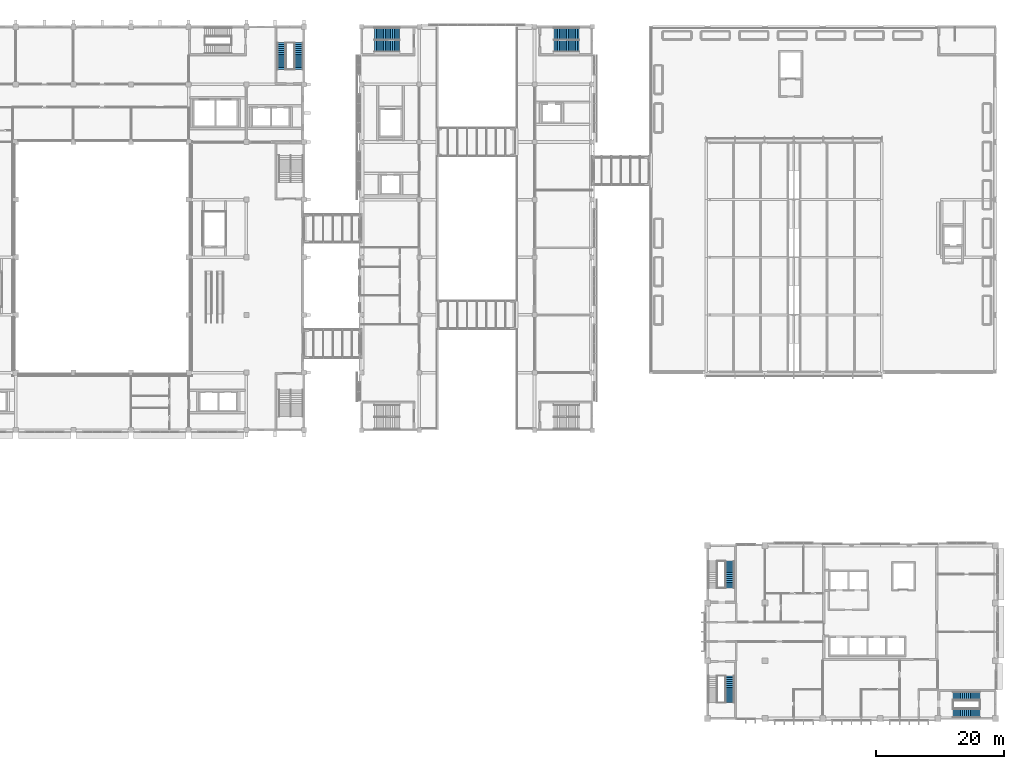
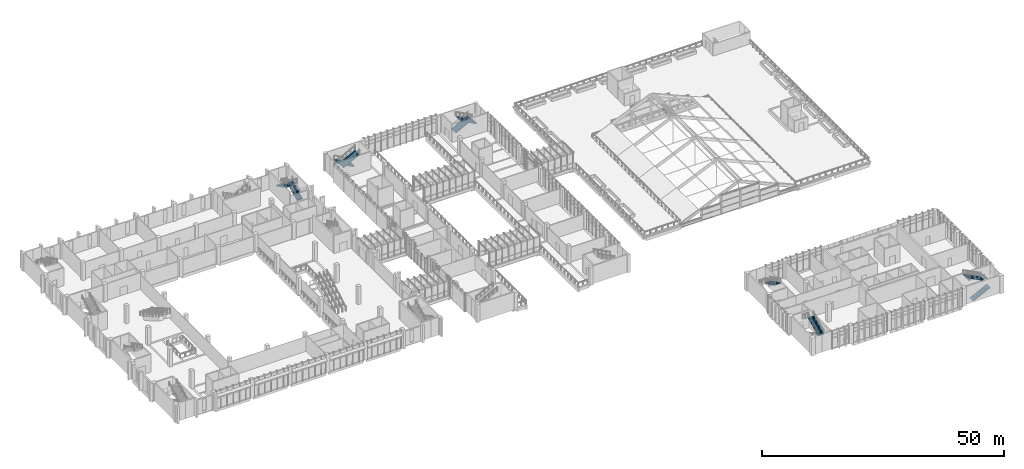
# One storey, part 81 of 106: 10 stair flights, 6 elements without a shape of their own.
"""IFC4 building model written with IfcOpenShell, lengths in metres."""

from ifc_helpers import new_model, si_unit, direction, frame, origin, place, context, subcontext, project, spatial, polyline, outline, extrude, material, type_object, element, aggregate, save


model = new_model("IFC4")

# Units and contexts
model_context = context("Model", 3, precision=1e-05, world=origin(), true_north=direction((0.0, 1.0)))
body_context = subcontext(model_context, "Body", "Model", "MODEL_VIEW")
ifc_project = project(units=[si_unit("LENGTHUNIT", "METRE"), si_unit("AREAUNIT", "SQUARE_METRE"), si_unit("VOLUMEUNIT", "CUBIC_METRE"), si_unit("PLANEANGLEUNIT", "RADIAN"), si_unit("MASSUNIT", "GRAM", prefix="KILO")], contexts=[model_context])

# Site, building, storey
site_placement = place(None, origin())
site = spatial("IfcSite", under=ifc_project, at=site_placement, CompositionType="ELEMENT")
building_placement = place(site_placement, origin())
building = spatial("IfcBuilding", under=site, at=building_placement, Name="Guidao Yard Department Store", CompositionType="ELEMENT")
storey_placement = place(building_placement, frame((0.0, 0.0, 10.5)))
storey = spatial("IfcBuildingStorey", under=building, at=storey_placement, Name="L02", CompositionType="ELEMENT", Elevation=10.5)

# Stair, stair flights
ifc_material_1 = material(Name="Concrete C35", Category="concrete")
stair_type_1 = type_object("IfcStairType", Name="Stair half-turn two-flight 1400 wide 4.5 m rise", PredefinedType="HALF_TURN_STAIR", material=ifc_material_1)
stair_1_placement = place(storey_placement, origin())
stair_1 = element("IfcStair", 1, at=stair_1_placement, inside=storey, type_object=stair_type_1, Name="Stair A6 L02 to L03", PredefinedType="HALF_TURN_STAIR")
ifc_material_2 = material(Name="Concrete C35", Category="concrete")
stair_flight_type_1 = type_object("IfcStairFlightType", Name="Stair flight RC straight 1400 wide 15 risers x 300 going C35", PredefinedType="STRAIGHT", material=ifc_material_2)
stair_flight_1_placement = place(storey_placement, frame((62.175048828125, 101.300048828125, 0.0), z_axis=(0.0, 0.0, 1.0), x_axis=(0.0, 1.0, 0.0)))
stair_flight_1 = element("IfcStairFlight", 2, at=stair_flight_1_placement, type_object=stair_flight_type_1, Name="SA6-L02 flight 1", NumberOfRisers=15, NumberOfTreads=14, PredefinedType="STRAIGHT", RiserHeight=0.15, TreadLength=0.3, context=body_context, shape_type="SweptSolid", body=[
    extrude(outline(polyline([(0.0, 0.0), (0.0, 0.14990234375), (0.300048828125, 0.14990234375), (0.300048828125, 0.300048828125), (0.60009765625, 0.300048828125), (0.60009765625, 0.449951171875), (0.89990234375, 0.449951171875), (0.89990234375, 0.60009765625), (1.199951171875, 0.60009765625), (1.199951171875, 0.75), (1.5, 0.75), (1.5, 0.89990234375), (1.800048828125, 0.89990234375), (1.800048828125, 1.050048828125), (2.10009765625, 1.050048828125), (2.10009765625, 1.199951171875), (2.39990234375, 1.199951171875), (2.39990234375, 1.35009765625), (2.699951171875, 1.35009765625), (2.699951171875, 1.5), (3.0, 1.5), (3.0, 1.64990234375), (3.300048828125, 1.64990234375), (3.300048828125, 1.800048828125), (3.60009765625, 1.800048828125), (3.60009765625, 1.949951171875), (3.89990234375, 1.949951171875), (3.89990234375, 2.10009765625), (4.199951171875, 2.10009765625), (4.199951171875, 2.25), (4.199951171875, 1.932373046875), (0.335205078125, 0.0), (0.0, 0.0)])), frame((0.0, 0.699951171875, 0.0), z_axis=(0.0, -1.0, 0.0), x_axis=(1.0, 0.0, 0.0)), (0.0, 0.0, 1.0), 1.39990234375),
])
stair_flight_2_placement = place(storey_placement, frame((59.5, 105.5, 2.25), z_axis=(0.0, 0.0, 1.0), x_axis=(0.0, -1.0, 0.0)))
stair_flight_2 = element("IfcStairFlight", 3, at=stair_flight_2_placement, type_object=stair_flight_type_1, Name="SA6-L02 flight 2", NumberOfRisers=15, NumberOfTreads=14, PredefinedType="STRAIGHT", RiserHeight=0.15, TreadLength=0.3, context=body_context, shape_type="SweptSolid", body=[
    extrude(outline(polyline([(0.0, 0.0), (0.0, 0.14990234375), (0.300048828125, 0.14990234375), (0.300048828125, 0.300048828125), (0.60009765625, 0.300048828125), (0.60009765625, 0.449951171875), (0.89990234375, 0.449951171875), (0.89990234375, 0.60009765625), (1.199951171875, 0.60009765625), (1.199951171875, 0.75), (1.5, 0.75), (1.5, 0.89990234375), (1.800048828125, 0.89990234375), (1.800048828125, 1.050048828125), (2.10009765625, 1.050048828125), (2.10009765625, 1.199951171875), (2.39990234375, 1.199951171875), (2.39990234375, 1.35009765625), (2.699951171875, 1.35009765625), (2.699951171875, 1.5), (3.0, 1.5), (3.0, 1.64990234375), (3.300048828125, 1.64990234375), (3.300048828125, 1.800048828125), (3.60009765625, 1.800048828125), (3.60009765625, 1.949951171875), (3.89990234375, 1.949951171875), (3.89990234375, 2.10009765625), (4.199951171875, 2.10009765625), (4.199951171875, 2.25), (4.199951171875, 1.932373046875), (0.335205078125, 0.0), (0.0, 0.0)])), frame((0.0, 0.699951171875, 0.0), z_axis=(0.0, -1.0, 0.0), x_axis=(1.0, 0.0, 0.0)), (0.0, 0.0, 1.0), 1.39990234375),
])
aggregate(stair_1, [stair_flight_1, stair_flight_2])

# Stair, stair flight
stair_2_placement = place(storey_placement, origin())
stair_2 = element("IfcStair", 4, at=stair_2_placement, inside=storey, type_object=stair_type_1, Name="Stair O1 L02 to L03", PredefinedType="HALF_TURN_STAIR")
stair_flight_3_placement = place(storey_placement, frame((129.5, 2.449951171875, 2.25), z_axis=(0.0, 0.0, 1.0), x_axis=(0.0, 1.0, 0.0)))
stair_flight_3 = element("IfcStairFlight", 5, at=stair_flight_3_placement, type_object=stair_flight_type_1, Name="SO1-L02 flight 2", NumberOfRisers=15, NumberOfTreads=14, PredefinedType="STRAIGHT", RiserHeight=0.15, TreadLength=0.3, context=body_context, shape_type="SweptSolid", body=[
    extrude(outline(polyline([(0.0, 0.0), (0.0, 0.14990234375), (0.300048828125, 0.14990234375), (0.300048828125, 0.300048828125), (0.60009765625, 0.300048828125), (0.60009765625, 0.449951171875), (0.89990234375, 0.449951171875), (0.89990234375, 0.60009765625), (1.199951171875, 0.60009765625), (1.199951171875, 0.75), (1.5, 0.75), (1.5, 0.89990234375), (1.800048828125, 0.89990234375), (1.800048828125, 1.050048828125), (2.10009765625, 1.050048828125), (2.10009765625, 1.199951171875), (2.39990234375, 1.199951171875), (2.39990234375, 1.35009765625), (2.699951171875, 1.35009765625), (2.699951171875, 1.5), (3.0, 1.5), (3.0, 1.64990234375), (3.300048828125, 1.64990234375), (3.300048828125, 1.800048828125), (3.60009765625, 1.800048828125), (3.60009765625, 1.949951171875), (3.89990234375, 1.949951171875), (3.89990234375, 2.10009765625), (4.199951171875, 2.10009765625), (4.199951171875, 2.25), (4.199951171875, 1.932373046875), (0.335205078125, 0.0), (0.0, 0.0)])), frame((0.0, 0.699951171875, 0.0), z_axis=(0.0, -1.0, 0.0), x_axis=(1.0, 0.0, 0.0)), (0.0, 0.0, 1.0), 1.39990234375),
])
aggregate(stair_2, [stair_flight_3])

# Stair, stair flights
stair_3_placement = place(storey_placement, origin())
stair_3 = element("IfcStair", 6, at=stair_3_placement, inside=storey, type_object=stair_type_1, Name="Stair O2 L02 to L03", PredefinedType="HALF_TURN_STAIR")
stair_flight_4_placement = place(storey_placement, frame((164.35009765625, 0.824951171875, 0.0), z_axis=(0.0, 0.0, 1.0), x_axis=(1.0, 0.0, 0.0)))
stair_flight_4 = element("IfcStairFlight", 7, at=stair_flight_4_placement, type_object=stair_flight_type_1, Name="SO2-L02 flight 1", NumberOfRisers=15, NumberOfTreads=14, PredefinedType="STRAIGHT", RiserHeight=0.15, TreadLength=0.3, context=body_context, shape_type="SweptSolid", body=[
    extrude(outline(polyline([(0.0, 0.0), (0.0, 0.14990234375), (0.300048828125, 0.14990234375), (0.300048828125, 0.300048828125), (0.60009765625, 0.300048828125), (0.60009765625, 0.449951171875), (0.89990234375, 0.449951171875), (0.89990234375, 0.60009765625), (1.199951171875, 0.60009765625), (1.199951171875, 0.75), (1.5, 0.75), (1.5, 0.89990234375), (1.800048828125, 0.89990234375), (1.800048828125, 1.050048828125), (2.10009765625, 1.050048828125), (2.10009765625, 1.199951171875), (2.39990234375, 1.199951171875), (2.39990234375, 1.35009765625), (2.699951171875, 1.35009765625), (2.699951171875, 1.5), (3.0, 1.5), (3.0, 1.64990234375), (3.300048828125, 1.64990234375), (3.300048828125, 1.800048828125), (3.60009765625, 1.800048828125), (3.60009765625, 1.949951171875), (3.89990234375, 1.949951171875), (3.89990234375, 2.10009765625), (4.199951171875, 2.10009765625), (4.199951171875, 2.25), (4.199951171875, 1.932373046875), (0.335205078125, 0.0), (0.0, 0.0)])), frame((0.0, 0.699951171875, 0.0), z_axis=(0.0, -1.0, 0.0), x_axis=(1.0, 0.0, 0.0)), (0.0, 0.0, 1.0), 1.39990234375),
])
stair_flight_5_placement = place(storey_placement, frame((168.550048828125, 3.5, 2.25), z_axis=(0.0, 0.0, 1.0), x_axis=(-1.0, 0.0, 0.0)))
stair_flight_5 = element("IfcStairFlight", 8, at=stair_flight_5_placement, type_object=stair_flight_type_1, Name="SO2-L02 flight 2", NumberOfRisers=15, NumberOfTreads=14, PredefinedType="STRAIGHT", RiserHeight=0.15, TreadLength=0.3, context=body_context, shape_type="SweptSolid", body=[
    extrude(outline(polyline([(0.0, 0.0), (0.0, 0.14990234375), (0.300048828125, 0.14990234375), (0.300048828125, 0.300048828125), (0.60009765625, 0.300048828125), (0.60009765625, 0.449951171875), (0.89990234375, 0.449951171875), (0.89990234375, 0.60009765625), (1.199951171875, 0.60009765625), (1.199951171875, 0.75), (1.5, 0.75), (1.5, 0.89990234375), (1.800048828125, 0.89990234375), (1.800048828125, 1.050048828125), (2.10009765625, 1.050048828125), (2.10009765625, 1.199951171875), (2.39990234375, 1.199951171875), (2.39990234375, 1.35009765625), (2.699951171875, 1.35009765625), (2.699951171875, 1.5), (3.0, 1.5), (3.0, 1.64990234375), (3.300048828125, 1.64990234375), (3.300048828125, 1.800048828125), (3.60009765625, 1.800048828125), (3.60009765625, 1.949951171875), (3.89990234375, 1.949951171875), (3.89990234375, 2.10009765625), (4.199951171875, 2.10009765625), (4.199951171875, 2.25), (4.199951171875, 1.932373046875), (0.335205078125, 0.0), (0.0, 0.0)])), frame((0.0, 0.699951171875, 0.0), z_axis=(0.0, -1.0, 0.0), x_axis=(1.0, 0.0, 0.0)), (0.0, 0.0, 1.0), 1.39990234375),
])
aggregate(stair_3, [stair_flight_4, stair_flight_5])

# Stair, stair flight
stair_4_placement = place(storey_placement, origin())
stair_4 = element("IfcStair", 9, at=stair_4_placement, inside=storey, type_object=stair_type_1, Name="Stair O3 L02 to L03", PredefinedType="HALF_TURN_STAIR")
stair_flight_6_placement = place(storey_placement, frame((129.5, 24.550048828125, 2.25), z_axis=(0.0, 0.0, 1.0), x_axis=(0.0, -1.0, 0.0)))
stair_flight_6 = element("IfcStairFlight", 10, at=stair_flight_6_placement, type_object=stair_flight_type_1, Name="SO3-L02 flight 2", NumberOfRisers=15, NumberOfTreads=14, PredefinedType="STRAIGHT", RiserHeight=0.15, TreadLength=0.3, context=body_context, shape_type="SweptSolid", body=[
    extrude(outline(polyline([(0.0, 0.0), (0.0, 0.14990234375), (0.300048828125, 0.14990234375), (0.300048828125, 0.300048828125), (0.60009765625, 0.300048828125), (0.60009765625, 0.449951171875), (0.89990234375, 0.449951171875), (0.89990234375, 0.60009765625), (1.199951171875, 0.60009765625), (1.199951171875, 0.75), (1.5, 0.75), (1.5, 0.89990234375), (1.800048828125, 0.89990234375), (1.800048828125, 1.050048828125), (2.10009765625, 1.050048828125), (2.10009765625, 1.199951171875), (2.39990234375, 1.199951171875), (2.39990234375, 1.35009765625), (2.699951171875, 1.35009765625), (2.699951171875, 1.5), (3.0, 1.5), (3.0, 1.64990234375), (3.300048828125, 1.64990234375), (3.300048828125, 1.800048828125), (3.60009765625, 1.800048828125), (3.60009765625, 1.949951171875), (3.89990234375, 1.949951171875), (3.89990234375, 2.10009765625), (4.199951171875, 2.10009765625), (4.199951171875, 2.25), (4.199951171875, 1.932373046875), (0.335205078125, 0.0), (0.0, 0.0)])), frame((0.0, 0.699951171875, 0.0), z_axis=(0.0, -1.0, 0.0), x_axis=(1.0, 0.0, 0.0)), (0.0, 0.0, 1.0), 1.39990234375),
])
aggregate(stair_4, [stair_flight_6])

# Stair, stair flights
ifc_material_3 = material(Name="Concrete C35", Category="concrete")
stair_type_2 = type_object("IfcStairType", Name="Stair half-turn two-flight 1800 wide 4.5 m rise", PredefinedType="HALF_TURN_STAIR", material=ifc_material_3)
stair_5_placement = place(storey_placement, origin())
stair_5 = element("IfcStair", 11, at=stair_5_placement, inside=storey, type_object=stair_type_2, Name="Stair G2 L02 to L03", PredefinedType="HALF_TURN_STAIR")
ifc_material_4 = material(Name="Concrete C35", Category="concrete")
stair_flight_type_2 = type_object("IfcStairFlightType", Name="Stair flight RC straight 1800 wide 15 risers x 280 going C35", PredefinedType="STRAIGHT", material=ifc_material_4)
stair_flight_7_placement = place(storey_placement, frame((77.949951171875, 106.97509765625, 0.0), z_axis=(0.0, 0.0, 1.0), x_axis=(-1.0, 0.0, 0.0)))
stair_flight_7 = element("IfcStairFlight", 12, at=stair_flight_7_placement, type_object=stair_flight_type_2, Name="SG2-L02 flight 1", NumberOfRisers=15, NumberOfTreads=14, PredefinedType="STRAIGHT", RiserHeight=0.15, TreadLength=0.28, context=body_context, shape_type="SweptSolid", body=[
    extrude(outline(polyline([(0.0, 0.0), (0.0, 0.14990234375), (0.280029296875, 0.14990234375), (0.280029296875, 0.300048828125), (0.56005859375, 0.300048828125), (0.56005859375, 0.449951171875), (0.840087890625, 0.449951171875), (0.840087890625, 0.60009765625), (1.1201171875, 0.60009765625), (1.1201171875, 0.75), (1.39990234375, 0.75), (1.39990234375, 0.89990234375), (1.679931640625, 0.89990234375), (1.679931640625, 1.050048828125), (1.9599609375, 1.050048828125), (1.9599609375, 1.199951171875), (2.239990234375, 1.199951171875), (2.239990234375, 1.35009765625), (2.52001953125, 1.35009765625), (2.52001953125, 1.5), (2.800048828125, 1.5), (2.800048828125, 1.64990234375), (3.080078125, 1.64990234375), (3.080078125, 1.800048828125), (3.360107421875, 1.800048828125), (3.360107421875, 1.949951171875), (3.639892578125, 1.949951171875), (3.639892578125, 2.10009765625), (3.919921875, 2.10009765625), (3.919921875, 2.25), (3.919921875, 1.929931640625), (0.3173828125, 0.0), (0.0, 0.0)])), frame((0.0, 0.89990234375, 0.0), z_axis=(0.0, -1.0, 0.0), x_axis=(1.0, 0.0, 0.0)), (0.0, 0.0, 1.0), 1.800048828125),
])
stair_flight_8_placement = place(storey_placement, frame((74.030029296875, 104.925048828125, 2.25), z_axis=(0.0, 0.0, 1.0), x_axis=(1.0, 0.0, 0.0)))
stair_flight_8 = element("IfcStairFlight", 13, at=stair_flight_8_placement, type_object=stair_flight_type_2, Name="SG2-L02 flight 2", NumberOfRisers=15, NumberOfTreads=14, PredefinedType="STRAIGHT", RiserHeight=0.15, TreadLength=0.28, context=body_context, shape_type="SweptSolid", body=[
    extrude(outline(polyline([(0.0, 0.0), (0.0, 0.14990234375), (0.280029296875, 0.14990234375), (0.280029296875, 0.300048828125), (0.56005859375, 0.300048828125), (0.56005859375, 0.449951171875), (0.840087890625, 0.449951171875), (0.840087890625, 0.60009765625), (1.1201171875, 0.60009765625), (1.1201171875, 0.75), (1.39990234375, 0.75), (1.39990234375, 0.89990234375), (1.679931640625, 0.89990234375), (1.679931640625, 1.050048828125), (1.9599609375, 1.050048828125), (1.9599609375, 1.199951171875), (2.239990234375, 1.199951171875), (2.239990234375, 1.35009765625), (2.52001953125, 1.35009765625), (2.52001953125, 1.5), (2.800048828125, 1.5), (2.800048828125, 1.64990234375), (3.080078125, 1.64990234375), (3.080078125, 1.800048828125), (3.360107421875, 1.800048828125), (3.360107421875, 1.949951171875), (3.639892578125, 1.949951171875), (3.639892578125, 2.10009765625), (3.919921875, 2.10009765625), (3.919921875, 2.25), (3.919921875, 1.929931640625), (0.3173828125, 0.0), (0.0, 0.0)])), frame((0.0, 0.89990234375, 0.0), z_axis=(0.0, -1.0, 0.0), x_axis=(1.0, 0.0, 0.0)), (0.0, 0.0, 1.0), 1.800048828125),
])
aggregate(stair_5, [stair_flight_7, stair_flight_8])

stair_6_placement = place(storey_placement, origin())
stair_6 = element("IfcStair", 14, at=stair_6_placement, inside=storey, type_object=stair_type_2, Name="Stair G4 L02 to L03", PredefinedType="HALF_TURN_STAIR")
stair_flight_9_placement = place(storey_placement, frame((102.050048828125, 106.97509765625, 0.0), z_axis=(0.0, 0.0, 1.0), x_axis=(1.0, 0.0, 0.0)))
stair_flight_9 = element("IfcStairFlight", 15, at=stair_flight_9_placement, type_object=stair_flight_type_2, Name="SG4-L02 flight 1", NumberOfRisers=15, NumberOfTreads=14, PredefinedType="STRAIGHT", RiserHeight=0.15, TreadLength=0.28, context=body_context, shape_type="SweptSolid", body=[
    extrude(outline(polyline([(0.0, 0.0), (0.0, 0.14990234375), (0.280029296875, 0.14990234375), (0.280029296875, 0.300048828125), (0.56005859375, 0.300048828125), (0.56005859375, 0.449951171875), (0.840087890625, 0.449951171875), (0.840087890625, 0.60009765625), (1.1201171875, 0.60009765625), (1.1201171875, 0.75), (1.39990234375, 0.75), (1.39990234375, 0.89990234375), (1.679931640625, 0.89990234375), (1.679931640625, 1.050048828125), (1.9599609375, 1.050048828125), (1.9599609375, 1.199951171875), (2.239990234375, 1.199951171875), (2.239990234375, 1.35009765625), (2.52001953125, 1.35009765625), (2.52001953125, 1.5), (2.800048828125, 1.5), (2.800048828125, 1.64990234375), (3.080078125, 1.64990234375), (3.080078125, 1.800048828125), (3.360107421875, 1.800048828125), (3.360107421875, 1.949951171875), (3.639892578125, 1.949951171875), (3.639892578125, 2.10009765625), (3.919921875, 2.10009765625), (3.919921875, 2.25), (3.919921875, 1.929931640625), (0.3173828125, 0.0), (0.0, 0.0)])), frame((0.0, 0.89990234375, 0.0), z_axis=(0.0, -1.0, 0.0), x_axis=(1.0, 0.0, 0.0)), (0.0, 0.0, 1.0), 1.800048828125),
])
stair_flight_10_placement = place(storey_placement, frame((105.969970703125, 104.925048828125, 2.25), z_axis=(0.0, 0.0, 1.0), x_axis=(-1.0, 0.0, 0.0)))
stair_flight_10 = element("IfcStairFlight", 16, at=stair_flight_10_placement, type_object=stair_flight_type_2, Name="SG4-L02 flight 2", NumberOfRisers=15, NumberOfTreads=14, PredefinedType="STRAIGHT", RiserHeight=0.15, TreadLength=0.28, context=body_context, shape_type="SweptSolid", body=[
    extrude(outline(polyline([(0.0, 0.0), (0.0, 0.14990234375), (0.280029296875, 0.14990234375), (0.280029296875, 0.300048828125), (0.56005859375, 0.300048828125), (0.56005859375, 0.449951171875), (0.840087890625, 0.449951171875), (0.840087890625, 0.60009765625), (1.1201171875, 0.60009765625), (1.1201171875, 0.75), (1.39990234375, 0.75), (1.39990234375, 0.89990234375), (1.679931640625, 0.89990234375), (1.679931640625, 1.050048828125), (1.9599609375, 1.050048828125), (1.9599609375, 1.199951171875), (2.239990234375, 1.199951171875), (2.239990234375, 1.35009765625), (2.52001953125, 1.35009765625), (2.52001953125, 1.5), (2.800048828125, 1.5), (2.800048828125, 1.64990234375), (3.080078125, 1.64990234375), (3.080078125, 1.800048828125), (3.360107421875, 1.800048828125), (3.360107421875, 1.949951171875), (3.639892578125, 1.949951171875), (3.639892578125, 2.10009765625), (3.919921875, 2.10009765625), (3.919921875, 2.25), (3.919921875, 1.929931640625), (0.3173828125, 0.0), (0.0, 0.0)])), frame((0.0, 0.89990234375, 0.0), z_axis=(0.0, -1.0, 0.0), x_axis=(1.0, 0.0, 0.0)), (0.0, 0.0, 1.0), 1.800048828125),
])
aggregate(stair_6, [stair_flight_9, stair_flight_10])

save(model, "model.ifc")
